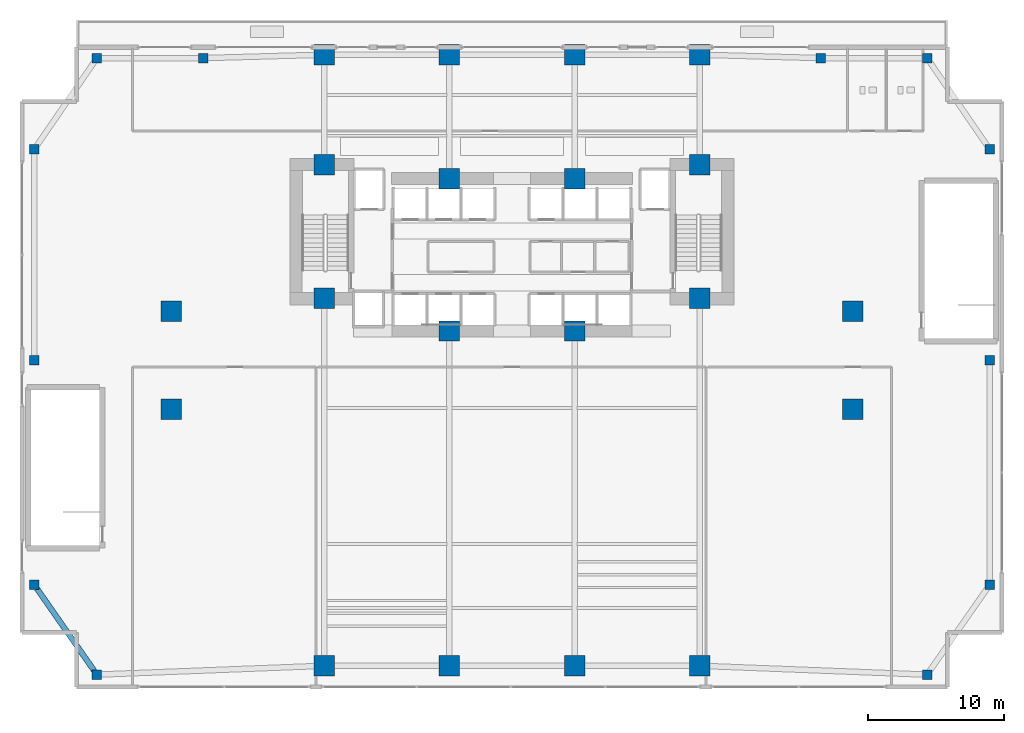
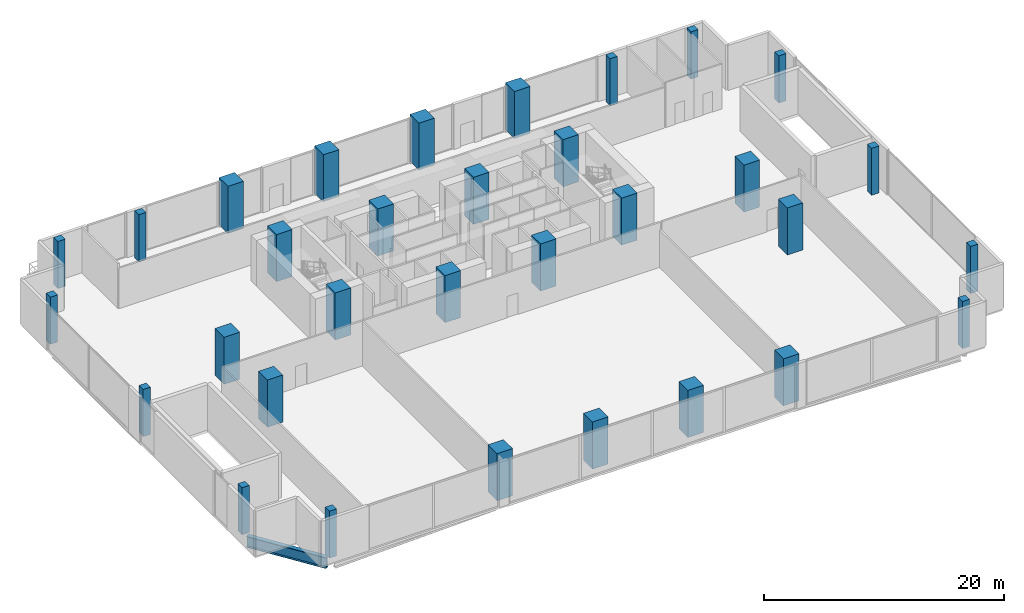
# One storey, part 1 of 28: 32 columns, 1 beam.
"""IFC4 building model written with IfcOpenShell, lengths in metres."""

import ifcopenshell
import ifcopenshell.guid

model = None  # the IFC model being written
_history = None  # IfcOwnerHistory: only IFC2X3 demands one
_inside = {}  # id of a spatial element -> (the spatial element, [elements in it])
_under = {}  # id of a project, library or spatial element -> (it, [spatial elements below it])
_declared = {}  # id of a project -> (the project, [libraries it declares])
_typed = {}  # id of a type object -> (the type object, [elements of that type])
_made_of = {}  # id of a material, layer set ... -> (it, [elements and type objects made of it])


def new_model(schema):
    """Start an empty IFC model of exactly this schema.

    Asked for "IFC4X3", IfcOpenShell would pick the latest addendum, in which some entities
    have other attributes; the version numbers below select the first issue.
    IFC2X3 requires an IfcOwnerHistory on every rooted entity: one is made here for all.
    """
    global model, _history
    if schema == "IFC4X3":
        model = ifcopenshell.file(schema_version=(4, 3, 0, 0))
    else:
        model = ifcopenshell.file(schema=schema)
    _inside.clear()
    _under.clear()
    _declared.clear()
    _typed.clear()
    _made_of.clear()
    _history = None
    if model.schema == "IFC2X3":
        org = make("IfcOrganization", Name="unknown")
        user = make(
            "IfcPersonAndOrganization",
            ThePerson=make("IfcPerson", FamilyName="unknown"),
            TheOrganization=org,
        )
        app = make(
            "IfcApplication",
            ApplicationDeveloper=org,
            Version="unknown",
            ApplicationFullName="unknown",
            ApplicationIdentifier="unknown",
        )
        _history = make(
            "IfcOwnerHistory",
            OwningUser=user,
            OwningApplication=app,
            ChangeAction="ADDED",
            CreationDate=0,
        )
    return model


def make(cls, **values):
    """One entity of the class cls with the attributes given. An attribute that is None is left unset."""
    return model.create_entity(
        cls, **{name: value for name, value in values.items() if value is not None}
    )


def rooted(cls, **values):
    """An entity with a GlobalId (a new one), such as an element, a storey or a relation."""
    return make(cls, GlobalId=ifcopenshell.guid.new(), OwnerHistory=_history, **values)


def si_unit(unit_type, name, prefix=None):
    """IfcSIUnit, for example si_unit("LENGTHUNIT", "METRE", prefix="MILLI")."""
    return make("IfcSIUnit", UnitType=unit_type, Prefix=prefix, Name=name)


def assignment(units):
    """IfcUnitAssignment: the units of a project."""
    return None if units is None else make("IfcUnitAssignment", Units=units)


def point(xyz):
    """IfcCartesianPoint."""
    return None if xyz is None else make("IfcCartesianPoint", Coordinates=xyz)


def direction(xyz):
    """IfcDirection."""
    return None if xyz is None else make("IfcDirection", DirectionRatios=xyz)


def frame(location, z_axis=None, x_axis=None):
    """IfcAxis2Placement3D, a coordinate frame: its origin and axes. An axis left out is left unset."""
    return make(
        "IfcAxis2Placement3D",
        Location=point(location),
        Axis=direction(z_axis),
        RefDirection=direction(x_axis),
    )


def frame_2d(location, x_axis=None):
    """IfcAxis2Placement2D, a coordinate frame in the plane: its origin and x axis."""
    return make(
        "IfcAxis2Placement2D", Location=point(location), RefDirection=direction(x_axis)
    )


def origin():
    """The frame at (0, 0, 0) with its axes left unset."""
    return frame((0.0, 0.0, 0.0))


def origin_2d():
    """The frame at (0, 0) in the plane with its x axis left unset."""
    return frame_2d((0.0, 0.0))


def place(relative_to, where):
    """IfcLocalPlacement: puts the frame where relative to a parent placement (None: the world)."""
    return make(
        "IfcLocalPlacement", PlacementRelTo=relative_to, RelativePlacement=where
    )


def context(
    kind, dimensions, precision=None, world=None, true_north=None, identifier=None
):
    """IfcGeometricRepresentationContext, for example the 3D "Model" context."""
    return make(
        "IfcGeometricRepresentationContext",
        ContextIdentifier=identifier,
        ContextType=kind,
        CoordinateSpaceDimension=dimensions,
        Precision=precision,
        WorldCoordinateSystem=world,
        TrueNorth=true_north,
    )


def subcontext(parent, identifier, kind, view, scale=None):
    """IfcGeometricRepresentationSubContext, for example "Body" below "Model"."""
    return make(
        "IfcGeometricRepresentationSubContext",
        ContextIdentifier=identifier,
        ContextType=kind,
        ParentContext=parent,
        TargetScale=scale,
        TargetView=view,
    )


def project(units=None, contexts=None):
    """IfcProject with its units and contexts."""
    return rooted(
        "IfcProject",
        Name="project",
        RepresentationContexts=contexts,
        UnitsInContext=assignment(units),
    )


def spatial(cls, under=None, at=None, **own):
    """A site, building, storey or space (cls), placed at a placement, below another one or the project."""
    s = rooted(cls, ObjectPlacement=at, **own)
    if under is not None:
        _under.setdefault(under.id(), (under, []))[1].append(s)
    return s


def profile(cls, at=None, kind="AREA", **sizes):
    """A parametric profile (cls). Its sizes go by their IFC names, for example OverallWidth=200.0."""
    return make(cls, ProfileType=kind, Position=at, **sizes)


def rectangle(**sizes):
    """IfcRectangleProfileDef."""
    return profile("IfcRectangleProfileDef", **sizes)


def i_section(**sizes):
    """IfcIShapeProfileDef."""
    return profile("IfcIShapeProfileDef", **sizes)


def extrude(swept, where, along, depth):
    """IfcExtrudedAreaSolid: the profile swept, set in the frame where, extruded along a direction by depth."""
    return make(
        "IfcExtrudedAreaSolid",
        SweptArea=swept,
        Position=where,
        ExtrudedDirection=direction(along),
        Depth=depth,
    )


def shape(context_of_items, identifier, shape_type, items):
    """IfcShapeRepresentation: the items that make up one representation, for example the "Body"."""
    return make(
        "IfcShapeRepresentation",
        ContextOfItems=context_of_items,
        RepresentationIdentifier=identifier,
        RepresentationType=shape_type,
        Items=items,
    )


def material(Name=None, Category=None):
    """IfcMaterial."""
    return make("IfcMaterial", Name=Name, Category=Category)


def material_profile(
    of_material, cross_section, Name=None, Category=None, Priority=None
):
    """IfcMaterialProfile: a cross section and its material."""
    return make(
        "IfcMaterialProfile",
        Name=Name,
        Material=of_material,
        Profile=cross_section,
        Priority=Priority,
        Category=Category,
    )


def profile_set(profiles, Name=None, composite=None):
    """IfcMaterialProfileSet."""
    return make(
        "IfcMaterialProfileSet",
        Name=Name,
        MaterialProfiles=profiles,
        CompositeProfile=composite,
    )


def made_of(thing, what):
    """Note that an element or type object is made of a material, layer set ...; save() writes the relation."""
    if what is not None:
        _made_of.setdefault(what.id(), (what, []))[1].append(thing)
    return thing


def type_object(cls, material=None, **own):
    """A type object (cls), such as IfcWallType, which elements share."""
    return made_of(rooted(cls, **own), material)


def element(
    cls,
    number,
    at=None,
    inside=None,
    cuts=None,
    type_object=None,
    material=None,
    context=None,
    identifier="Body",
    shape_type=None,
    held_by="IfcProductDefinitionShape",
    body=None,
    shapes=None,
    **own,
):
    """One element of the class cls, such as IfcWall. Its Tag is "e" and its number.

    at: its placement. inside: the storey or other place that contains it. cuts: it is an
    opening in that element (IfcRelVoidsElement). A single representation is given by context,
    identifier, shape_type and body (its items); several are given by shapes. held_by: the class
    of the entity that holds the representations. save() writes the other relations.
    """
    e = rooted(cls, Tag="e%d" % number, ObjectPlacement=at, **own)
    if body is not None:
        shapes = [shape(context, identifier, shape_type, body)]
    if shapes is not None:
        e.Representation = make(held_by, Representations=shapes)
    if inside is not None:
        _inside.setdefault(inside.id(), (inside, []))[1].append(e)
    if cuts is not None:
        rooted(
            "IfcRelVoidsElement", RelatingBuildingElement=cuts, RelatedOpeningElement=e
        )
    if type_object is not None:
        _typed.setdefault(type_object.id(), (type_object, []))[1].append(e)
    return made_of(e, material)


def aggregate(whole, parts):
    """IfcRelAggregates: a whole, such as a stair, and the parts it consists of."""
    return rooted("IfcRelAggregates", RelatingObject=whole, RelatedObjects=parts)


def save(model, path):
    """Write the relations noted so far, then the file.

    IfcRelAggregates (storeys below a building ...), IfcRelContainedInSpatialStructure (elements
    in a storey), IfcRelDefinesByType, IfcRelAssociatesMaterial and IfcRelDeclares: one each for
    every whole, place, type object, material and project.
    """
    for whole, parts in _under.values():
        aggregate(whole, parts)
    for where, things in _inside.values():
        rooted(
            "IfcRelContainedInSpatialStructure",
            RelatedElements=things,
            RelatingStructure=where,
        )
    for kind, things in _typed.values():
        rooted("IfcRelDefinesByType", RelatedObjects=things, RelatingType=kind)
    for what, things in _made_of.values():
        rooted("IfcRelAssociatesMaterial", RelatedObjects=things, RelatingMaterial=what)
    for by, libraries in _declared.values():
        rooted("IfcRelDeclares", RelatingContext=by, RelatedDefinitions=libraries)
    model.write(path)


model = new_model("IFC4")

# Units and contexts
model_context = context("Model", 3, precision=1e-05, world=origin(), true_north=direction((0.0, 1.0)))
body_context = subcontext(model_context, "Body", "Model", "MODEL_VIEW")
ifc_project = project(units=[si_unit("LENGTHUNIT", "METRE"), si_unit("AREAUNIT", "SQUARE_METRE"), si_unit("VOLUMEUNIT", "CUBIC_METRE"), si_unit("PLANEANGLEUNIT", "RADIAN"), si_unit("MASSUNIT", "GRAM", prefix="KILO")], contexts=[model_context])

# Site, building, storey
site_placement = place(None, origin())
site = spatial("IfcSite", under=ifc_project, at=site_placement, CompositionType="ELEMENT")
building_placement = place(site_placement, origin())
building = spatial("IfcBuilding", under=site, at=building_placement, Name="Zuhayl Quay Hotel", CompositionType="ELEMENT")
storey_placement = place(building_placement, frame((0.0, 0.0, 22.800048828125)))
storey = spatial("IfcBuildingStorey", under=building, at=storey_placement, Name="L04", CompositionType="ELEMENT", Elevation=22.800048828125)

# Columns
ifc_material_1 = material(Name="Concrete C70/85", Category="concrete")
ifc_material_profile_1 = material_profile(ifc_material_1, rectangle(XDim=1.5, YDim=1.5, at=origin_2d()), Name="RC1500X1500")
ifc_profile_set_1 = profile_set([ifc_material_profile_1], Name="Concrete C70/85")
column_type_1 = type_object("IfcColumnType", Name="CL_CC1_1500", PredefinedType="COLUMN", material=ifc_profile_set_1)
for number, where, z_axis, x_axis, name in (
    (1, (-13.800048828125, 14.35009765625, 0.0), (0.0, 0.0, 1.0), (1.0, 0.0, 0.0), "L04 Core Column CC_NW"),
    (2, (-4.60009765625, 13.35009765625, 0.0), (0.0, 0.0, 1.0), (1.0, 0.0, 0.0), "L04 Core Column CC_CNW"),
    (3, (4.60009765625, 13.35009765625, 0.0), (0.0, 0.0, 1.0), (1.0, 0.0, 0.0), "L04 Core Column CC_CNE"),
    (4, (13.800048828125, 14.35009765625, 0.0), (0.0, 0.0, 1.0), (1.0, 0.0, 0.0), "L04 Core Column CC_NE"),
    (5, (-13.800048828125, 4.550048828125, 0.0), (0.0, 0.0, 1.0), (1.0, 0.0, 0.0), "L04 Core Column CC_SW"),
    (6, (-4.60009765625, 2.14990234375, 0.0), (0.0, 0.0, 1.0), (1.0, 0.0, 0.0), "L04 Core Column CC_CSW"),
    (7, (4.60009765625, 2.14990234375, 0.0), (0.0, 0.0, 1.0), (1.0, 0.0, 0.0), "L04 Core Column CC_CSE"),
    (8, (13.800048828125, 4.550048828125, 0.0), (0.0, 0.0, 1.0), (1.0, 0.0, 0.0), "L04 Core Column CC_SE"),
):
    element("IfcColumn", number, at=place(storey_placement, frame(where, z_axis=z_axis, x_axis=x_axis)), inside=storey, type_object=column_type_1, Name=name, PredefinedType="COLUMN", context=body_context, shape_type="SweptSolid", body=[
        extrude(rectangle(XDim=1.5, YDim=1.5, at=origin_2d()), origin(), (0.0, 0.0, 1.0), 4.800048828125),
    ])
ifc_material_profile_2 = material_profile(ifc_material_1, rectangle(XDim=1.5, YDim=1.5, at=origin_2d()), Name="RC1500X1500")
ifc_profile_set_2 = profile_set([ifc_material_profile_2], Name="Concrete C70/85")
column_type_2 = type_object("IfcColumnType", Name="CL_MC1_1500", PredefinedType="COLUMN", material=ifc_profile_set_2)
for number, where, z_axis, x_axis, name in (
    (9, (-13.800048828125, -22.449951171875, 0.0), (0.0, 0.0, 1.0), (1.0, 0.0, 0.0), "L04 Mega-Column MC_S1"),
    (10, (-4.60009765625, -22.449951171875, 0.0), (0.0, 0.0, 1.0), (1.0, 0.0, 0.0), "L04 Mega-Column MC_S2"),
    (11, (4.60009765625, -22.449951171875, 0.0), (0.0, 0.0, 1.0), (1.0, 0.0, 0.0), "L04 Mega-Column MC_S3"),
    (12, (13.800048828125, -22.449951171875, 0.0), (0.0, 0.0, 1.0), (1.0, 0.0, 0.0), "L04 Mega-Column MC_S4"),
    (13, (-13.800048828125, 22.449951171875, 0.0), (0.0, 0.0, 1.0), (1.0, 0.0, 0.0), "L04 Mega-Column MC_N1"),
    (14, (-4.60009765625, 22.449951171875, 0.0), (0.0, 0.0, 1.0), (1.0, 0.0, 0.0), "L04 Mega-Column MC_N2"),
    (15, (4.60009765625, 22.449951171875, 0.0), (0.0, 0.0, 1.0), (1.0, 0.0, 0.0), "L04 Mega-Column MC_N3"),
    (16, (13.800048828125, 22.449951171875, 0.0), (0.0, 0.0, 1.0), (1.0, 0.0, 0.0), "L04 Mega-Column MC_N4"),
    (17, (-25.050048828125, -3.60009765625, 0.0), (0.0, 0.0, 1.0), (1.0, 0.0, 0.0), "L04 Mega-Column MC_W1"),
    (18, (-25.050048828125, 3.60009765625, 0.0), (0.0, 0.0, 1.0), (1.0, 0.0, 0.0), "L04 Mega-Column MC_W2"),
    (19, (25.050048828125, -3.60009765625, 0.0), (0.0, 0.0, 1.0), (1.0, 0.0, 0.0), "L04 Mega-Column MC_E1"),
    (20, (25.050048828125, 3.60009765625, 0.0), (0.0, 0.0, 1.0), (1.0, 0.0, 0.0), "L04 Mega-Column MC_E2"),
):
    element("IfcColumn", number, at=place(storey_placement, frame(where, z_axis=z_axis, x_axis=x_axis)), inside=storey, type_object=column_type_2, Name=name, PredefinedType="COLUMN", context=body_context, shape_type="SweptSolid", body=[
        extrude(rectangle(XDim=1.5, YDim=1.5, at=origin_2d()), origin(), (0.0, 0.0, 1.0), 4.800048828125),
    ])
ifc_material_2 = material(Name="Concrete C50/60", Category="concrete")
ifc_material_profile_3 = material_profile(ifc_material_2, rectangle(XDim=0.699951171875, YDim=0.699951171875, at=origin_2d()), Name="RC700X700")
ifc_profile_set_3 = profile_set([ifc_material_profile_3], Name="Concrete C50/60")
column_type_3 = type_object("IfcColumnType", Name="CL_PC2_700", PredefinedType="COLUMN", material=ifc_profile_set_3)
for number, where, z_axis, x_axis, name in (
    (21, (-30.5, -23.10009765625, 0.0), (0.0, 0.0, 1.0), (1.0, 0.0, 0.0), "L04 Podium Column PC_SW"),
    (22, (30.5, -23.10009765625, 0.0), (0.0, 0.0, 1.0), (1.0, 0.0, 0.0), "L04 Podium Column PC_SE"),
    (23, (-30.5, 22.199951171875, 0.0), (0.0, 0.0, 1.0), (1.0, 0.0, 0.0), "L04 Podium Column PC_NW"),
    (24, (30.5, 22.199951171875, 0.0), (0.0, 0.0, 1.0), (1.0, 0.0, 0.0), "L04 Podium Column PC_NE"),
    (25, (-35.10009765625, -16.5, 0.0), (0.0, 0.0, 1.0), (1.0, 0.0, 0.0), "L04 Podium Column PC_W1"),
    (26, (-35.10009765625, 0.0, 0.0), (0.0, 0.0, 1.0), (1.0, 0.0, 0.0), "L04 Podium Column PC_W2"),
    (27, (-35.10009765625, 15.5, 0.0), (0.0, 0.0, 1.0), (1.0, 0.0, 0.0), "L04 Podium Column PC_W3"),
    (28, (35.10009765625, -16.5, 0.0), (0.0, 0.0, 1.0), (1.0, 0.0, 0.0), "L04 Podium Column PC_E1"),
    (29, (35.10009765625, 0.0, 0.0), (0.0, 0.0, 1.0), (1.0, 0.0, 0.0), "L04 Podium Column PC_E2"),
    (30, (35.10009765625, 15.5, 0.0), (0.0, 0.0, 1.0), (1.0, 0.0, 0.0), "L04 Podium Column PC_E3"),
    (31, (-22.699951171875, 22.199951171875, 0.0), (0.0, 0.0, 1.0), (1.0, 0.0, 0.0), "L04 Podium Column PC_N1"),
    (32, (22.699951171875, 22.199951171875, 0.0), (0.0, 0.0, 1.0), (1.0, 0.0, 0.0), "L04 Podium Column PC_N2"),
):
    element("IfcColumn", number, at=place(storey_placement, frame(where, z_axis=z_axis, x_axis=x_axis)), inside=storey, type_object=column_type_3, Name=name, PredefinedType="COLUMN", context=body_context, shape_type="SweptSolid", body=[
        extrude(rectangle(XDim=0.699951171875, YDim=0.699951171875, at=origin_2d()), origin(), (0.0, 0.0, 1.0), 4.800048828125),
    ])

# Beam
ifc_material_3 = material(Name="Steel ASTM A913 Grade 65", Category="steel")
ifc_material_profile_4 = material_profile(ifc_material_3, i_section(OverallWidth=0.404052734375, OverallDepth=1.117919921875, WebThickness=0.026123046875, FlangeThickness=0.044921875, at=origin_2d()), Name="W44X335")
ifc_profile_set_4 = profile_set([ifc_material_profile_4], Name="Steel ASTM A913 Grade 65")
beam_type = type_object("IfcBeamType", Name="BM_TG1_W44X335", PredefinedType="BEAM", material=ifc_profile_set_4)
beam_placement = place(storey_placement, frame((-30.6943359375, -22.821044921875, -0.819091796875), z_axis=(-0.571785900762, 0.820402878889, 0.0), x_axis=(-0.820402878889, -0.571785900762, 0.0)))
element("IfcBeam", 33, at=beam_placement, inside=storey, type_object=beam_type, Name="L04 Floor Beam PG_W_L04_0", PredefinedType="BEAM", context=body_context, shape_type="SweptSolid", body=[
    extrude(i_section(OverallWidth=0.404052734375, OverallDepth=1.117919921875, WebThickness=0.026123046875, FlangeThickness=0.044921875, at=origin_2d()), origin(), (0.0, 0.0, 1.0), 7.364990234375),
])

save(model, "model.ifc")
